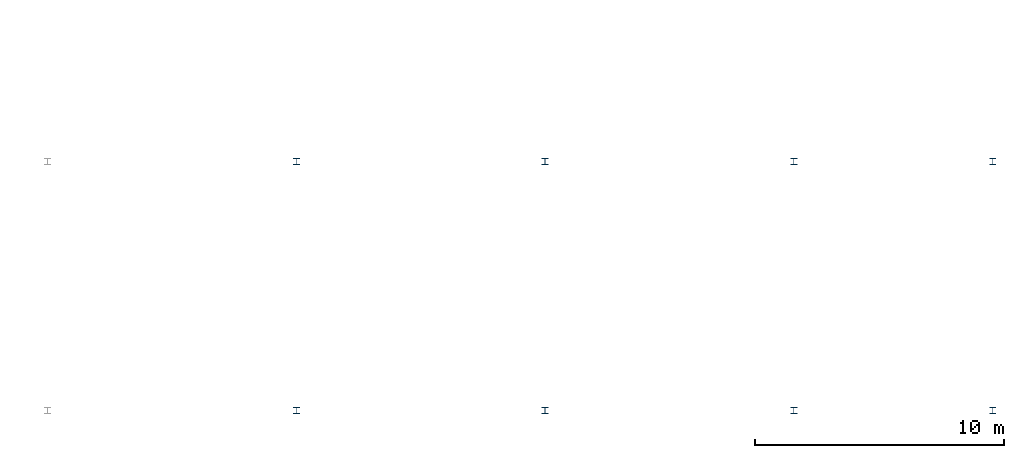
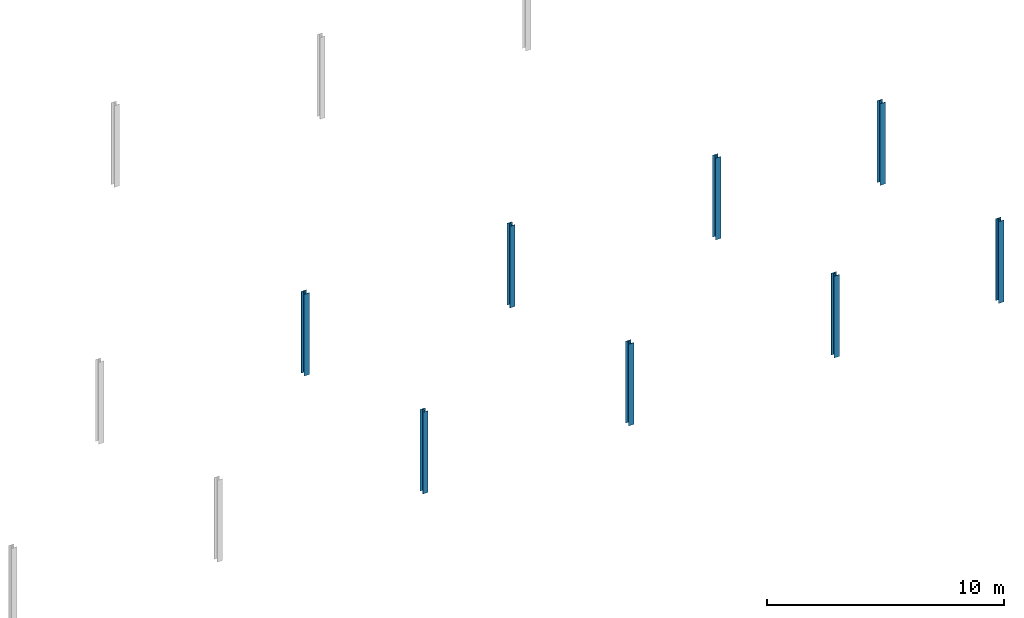
# One storey, part 16 of 100: 8 columns.
"""IFC4 building model written with IfcOpenShell, lengths in metres."""

from ifc_helpers import new_model, si_unit, direction, frame, origin, origin_2d, place, context, subcontext, project, spatial, i_section, extrude, material, material_profile, profile_set, type_object, element, save


model = new_model("IFC4")

# Units and contexts
model_context = context("Model", 3, precision=1e-05, world=origin(), true_north=direction((0.0, 1.0)))
body_context = subcontext(model_context, "Body", "Model", "MODEL_VIEW")
ifc_project = project(units=[si_unit("LENGTHUNIT", "METRE"), si_unit("AREAUNIT", "SQUARE_METRE"), si_unit("VOLUMEUNIT", "CUBIC_METRE"), si_unit("PLANEANGLEUNIT", "RADIAN"), si_unit("MASSUNIT", "GRAM", prefix="KILO")], contexts=[model_context])

# Site, building, storey
site_placement = place(None, origin())
site = spatial("IfcSite", under=ifc_project, at=site_placement, CompositionType="ELEMENT")
building_placement = place(site_placement, origin())
building = spatial("IfcBuilding", under=site, at=building_placement, Name="Kivolera Central Railway Station", CompositionType="ELEMENT")
storey_placement = place(building_placement, frame((0.0, 0.0, 5.39990234375)))
storey = spatial("IfcBuildingStorey", under=building, at=storey_placement, Name="L01", CompositionType="ELEMENT", Elevation=5.39990234375)

# Columns
ifc_material = material(Name="Steel S355", Category="steel")
ifc_material_profile = material_profile(ifc_material, i_section(OverallWidth=0.25634765625, OverallDepth=0.26025390625, WebThickness=0.01025390625, FlangeThickness=0.017333984375, FilletRadius=0.0126953125, at=origin_2d()), Name="UC 254x254x89")
ifc_profile_set = profile_set([ifc_material_profile], Name="Steel S355")
column_type = type_object("IfcColumnType", Name="COL-STL-UC254", PredefinedType="COLUMN", material=ifc_profile_set)
for number, where, z_axis, x_axis, name in (
    (1, (168.0, 6.0, 0.0), (0.0, 0.0, 1.0), (1.0, 0.0, 0.0), "L01 Train Shed Column 17-A"),
    (2, (168.0, 16.0, 0.0), (0.0, 0.0, 1.0), (1.0, 0.0, 0.0), "L01 Train Shed Column 17-B"),
    (3, (178.0, 6.0, 0.0), (0.0, 0.0, 1.0), (1.0, 0.0, 0.0), "L01 Train Shed Column 18-A"),
    (4, (178.0, 16.0, 0.0), (0.0, 0.0, 1.0), (1.0, 0.0, 0.0), "L01 Train Shed Column 18-B"),
    (5, (188.0, 6.0, 0.0), (0.0, 0.0, 1.0), (1.0, 0.0, 0.0), "L01 Train Shed Column 19-A"),
    (6, (188.0, 16.0, 0.0), (0.0, 0.0, 1.0), (1.0, 0.0, 0.0), "L01 Train Shed Column 19-B"),
    (7, (196.0, 6.0, 0.0), (0.0, 0.0, 1.0), (1.0, 0.0, 0.0), "L01 Train Shed Column 20-A"),
    (8, (196.0, 16.0, 0.0), (0.0, 0.0, 1.0), (1.0, 0.0, 0.0), "L01 Train Shed Column 20-B"),
):
    element("IfcColumn", number, at=place(storey_placement, frame(where, z_axis=z_axis, x_axis=x_axis)), inside=storey, type_object=column_type, Name=name, PredefinedType="COLUMN", context=body_context, shape_type="SweptSolid", body=[
        extrude(i_section(OverallWidth=0.25634765625, OverallDepth=0.26025390625, WebThickness=0.01025390625, FlangeThickness=0.017333984375, FilletRadius=0.0126953125, at=origin_2d()), origin(), (0.0, 0.0, 1.0), 4.2001953125),
    ])

save(model, "model.ifc")
